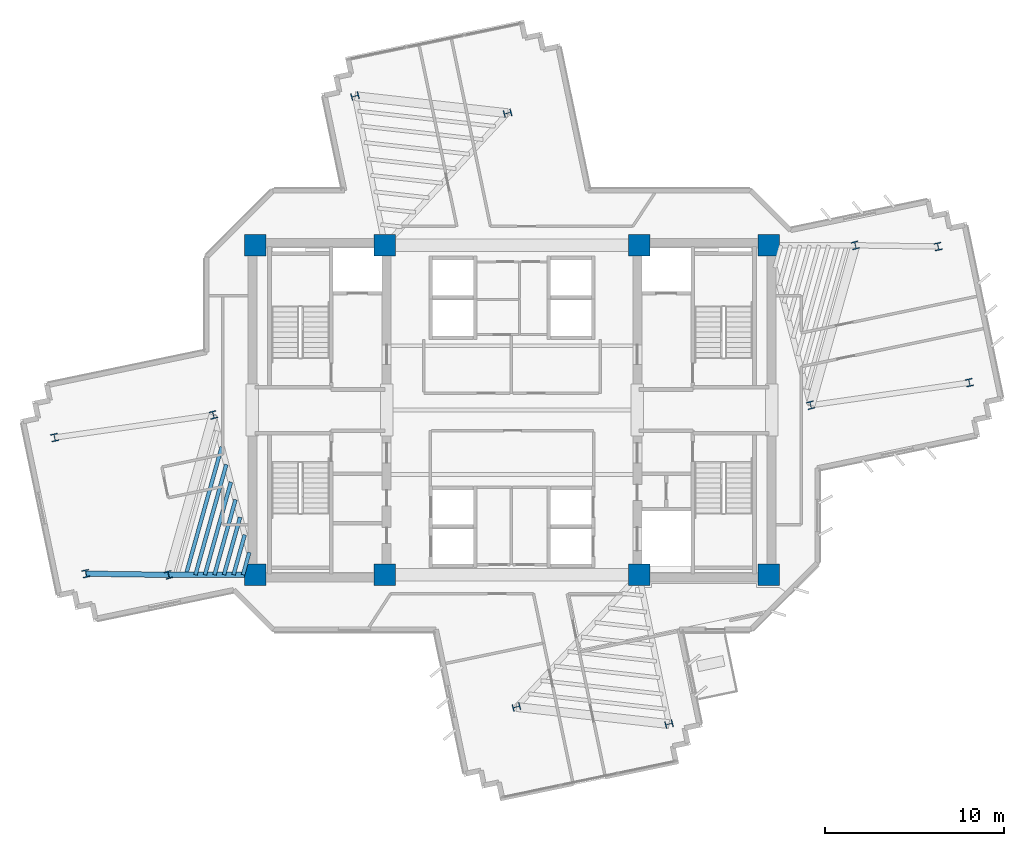
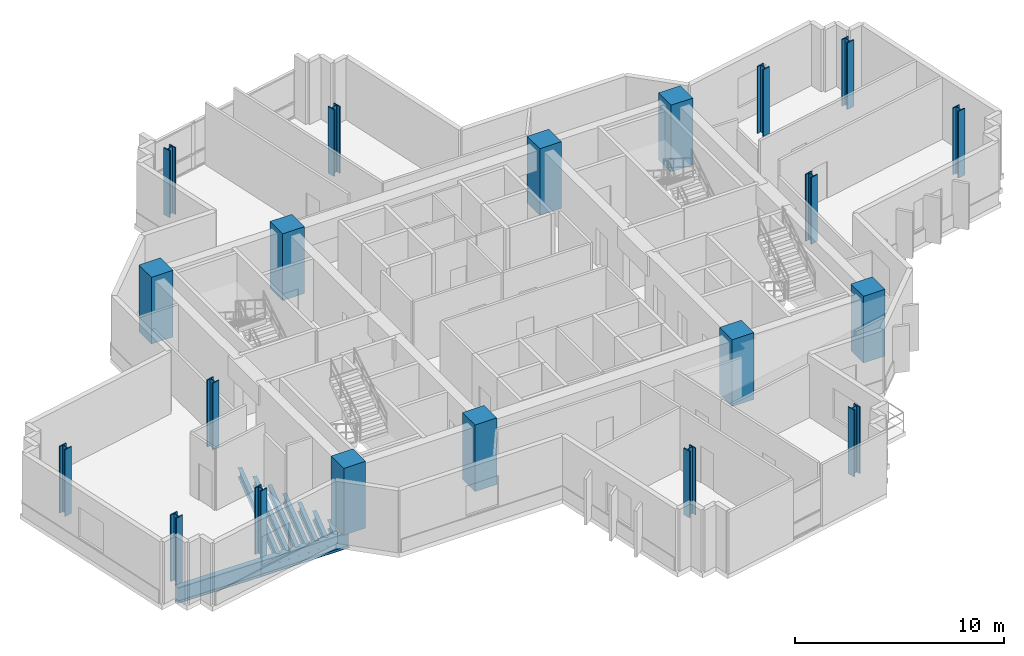
# One storey, part 1 of 14: 20 columns, 9 beams.
"""IFC4 building model written with IfcOpenShell, lengths in metres."""

from ifc_helpers import new_model, si_unit, direction, frame, origin, origin_2d, place, context, subcontext, project, spatial, rectangle, i_section, extrude, source, transform, mapped, material, material_profile, profile_set, type_object, element, save


model = new_model("IFC4")

# Units and contexts
model_context = context("Model", 3, precision=1e-05, world=origin(), true_north=direction((0.0, 1.0)))
body_context = subcontext(model_context, "Body", "Model", "MODEL_VIEW")
ifc_project = project(units=[si_unit("LENGTHUNIT", "METRE"), si_unit("AREAUNIT", "SQUARE_METRE"), si_unit("VOLUMEUNIT", "CUBIC_METRE"), si_unit("PLANEANGLEUNIT", "RADIAN"), si_unit("MASSUNIT", "GRAM", prefix="KILO")], contexts=[model_context])

# Site, building, storey
site_placement = place(None, origin())
site = spatial("IfcSite", under=ifc_project, at=site_placement, CompositionType="ELEMENT")
building_placement = place(site_placement, origin())
building = spatial("IfcBuilding", under=site, at=building_placement, Name="Zahravan Cultural Tower", CompositionType="ELEMENT")
storey_placement = place(building_placement, frame((0.0, 0.0, 159.0)))
storey = spatial("IfcBuildingStorey", under=building, at=storey_placement, Name="L36", CompositionType="ELEMENT", Elevation=159.0)

# Columns
ifc_material_1 = material(Name="Concrete C50/60", Category="concrete")
ifc_material_profile_1 = material_profile(ifc_material_1, rectangle(XDim=1.199951171875, YDim=1.199951171875, at=origin_2d()), Name="RC1200X1200")
ifc_profile_set_1 = profile_set([ifc_material_profile_1], Name="Concrete C50/60")
column_type_1 = type_object("IfcColumnType", Name="COL-RC1200", PredefinedType="COLUMN", material=ifc_profile_set_1)
shared_shape_1 = source(origin(), body_context, "Body", "SweptSolid", [
    extrude(rectangle(XDim=1.199951171875, YDim=1.199951171875, at=origin_2d()), origin(), (0.0, 0.0, 1.0), 3.89990234375),
])
for number, where, z_axis, x_axis, name in (
    (1, (21.64990234375, 17.800048828125, 0.0), (0.0, 0.0, 1.0), (1.0, 0.0, 0.0), "L36 Column CC-W1"),
    (2, (28.89990234375, 17.800048828125, 0.0), (0.0, 0.0, 1.0), (1.0, 0.0, 0.0), "L36 Column CC-W2"),
    (3, (21.64990234375, 36.199951171875, 0.0), (0.0, 0.0, 1.0), (1.0, 0.0, 0.0), "L36 Column CC-W3"),
    (4, (28.89990234375, 36.199951171875, 0.0), (0.0, 0.0, 1.0), (1.0, 0.0, 0.0), "L36 Column CC-W4"),
    (5, (43.10009765625, 17.800048828125, 0.0), (0.0, 0.0, 1.0), (1.0, 0.0, 0.0), "L36 Column CC-E1"),
    (6, (50.35009765625, 17.800048828125, 0.0), (0.0, 0.0, 1.0), (1.0, 0.0, 0.0), "L36 Column CC-E2"),
    (7, (43.10009765625, 36.199951171875, 0.0), (0.0, 0.0, 1.0), (1.0, 0.0, 0.0), "L36 Column CC-E3"),
    (8, (50.35009765625, 36.199951171875, 0.0), (0.0, 0.0, 1.0), (1.0, 0.0, 0.0), "L36 Column CC-E4"),
):
    element("IfcColumn", number, at=place(storey_placement, frame(where, z_axis=z_axis, x_axis=x_axis)), inside=storey, type_object=column_type_1, Name=name, PredefinedType="COLUMN", context=body_context, shape_type="MappedRepresentation", body=[
        mapped(shared_shape_1, transform((0.0, 0.0, 0.0), x_axis=(1.0, 0.0, 0.0), y_axis=(0.0, 1.0, 0.0), z_axis=(0.0, 0.0, 1.0), scale=1.0)),
    ])
ifc_material_2 = material(Name="Steel ASTM A992 Grade 50", Category="steel")
ifc_material_profile_2 = material_profile(ifc_material_2, i_section(OverallWidth=0.412109375, OverallDepth=0.43505859375, WebThickness=0.035888671875, FlangeThickness=0.057373046875, FilletRadius=0.01806640625, at=origin_2d()), Name="W14X311")
ifc_profile_set_2 = profile_set([ifc_material_profile_2], Name="Steel ASTM A992 Grade 50")
column_type_2 = type_object("IfcColumnType", Name="COL-W14X311", PredefinedType="COLUMN", material=ifc_profile_set_2)
shared_shape_2 = source(origin(), body_context, "Body", "SweptSolid", [
    extrude(i_section(OverallWidth=0.412109375, OverallDepth=0.43505859375, WebThickness=0.035888671875, FlangeThickness=0.057373046875, FilletRadius=0.01806640625, at=origin_2d()), origin(), (0.0, 0.0, 1.0), 3.89990234375),
])
for number, where, z_axis, x_axis, name in (
    (9, (52.684326171875, 27.27099609375, 0.0), (0.0, 0.0, 1.0), (0.966823388604, 0.255445757936, 0.0), "L36 Column Z2C-E1"),
    (10, (55.184814453125, 36.2060546875, 0.0), (0.0, 0.0, 1.0), (0.966823388604, 0.255445757936, 0.0), "L36 Column Z2C-E2"),
    (11, (35.754638671875, 43.587646484375, 0.0), (0.0, 0.0, 1.0), (-0.255445757936, 0.966823388604, 0.0), "L36 Column Z2C-N1"),
    (12, (27.22802734375, 44.541259765625, 0.0), (0.0, 0.0, 1.0), (-0.255445757936, 0.966823388604, 0.0), "L36 Column Z2C-N2"),
    (13, (19.315673828125, 26.72900390625, 0.0), (0.0, 0.0, 1.0), (0.966823388604, 0.255445757936, 0.0), "L36 Column Z2C-W1"),
    (14, (16.815185546875, 17.7939453125, 0.0), (0.0, 0.0, 1.0), (0.966823388604, 0.255445757936, 0.0), "L36 Column Z2C-W2"),
    (15, (36.245361328125, 10.412353515625, 0.0), (0.0, 0.0, 1.0), (-0.255445757936, 0.966823388604, 0.0), "L36 Column Z2C-S1"),
    (16, (44.77197265625, 9.458740234375, 0.0), (0.0, 0.0, 1.0), (-0.255445757936, 0.966823388604, 0.0), "L36 Column Z2C-S2"),
    (17, (61.552734375, 28.53466796875, 0.0), (0.0, 0.0, 1.0), (0.977415894286, 0.211324796455, 0.0), "L36 Column Z2T-E1"),
    (18, (59.806640625, 36.13720703125, 0.0), (0.0, 0.0, 1.0), (0.977415894286, 0.211324796455, 0.0), "L36 Column Z2T-E2"),
    (19, (10.447265625, 25.46533203125, 0.0), (0.0, 0.0, 1.0), (0.977415894286, 0.211324796455, 0.0), "L36 Column Z2T-W1"),
    (20, (12.193359375, 17.86279296875, 0.0), (0.0, 0.0, 1.0), (0.977415894286, 0.211324796455, 0.0), "L36 Column Z2T-W2"),
):
    element("IfcColumn", number, at=place(storey_placement, frame(where, z_axis=z_axis, x_axis=x_axis)), inside=storey, type_object=column_type_2, Name=name, PredefinedType="COLUMN", context=body_context, shape_type="MappedRepresentation", body=[
        mapped(shared_shape_2, transform((0.0, 0.0, 0.0), x_axis=(1.0, 0.0, 0.0), y_axis=(0.0, 1.0, 0.0), z_axis=(0.0, 0.0, 1.0), scale=1.0)),
    ])

# Beams
ifc_material_profile_3 = material_profile(ifc_material_2, i_section(OverallWidth=0.304931640625, OverallDepth=0.9189453125, WebThickness=0.017333984375, FlangeThickness=0.02783203125, FilletRadius=0.02392578125, at=origin_2d()), Name="W36X170")
ifc_profile_set_3 = profile_set([ifc_material_profile_3], Name="Steel ASTM A992 Grade 50")
beam_type_1 = type_object("IfcBeamType", Name="BM-G-W36X170", PredefinedType="BEAM", material=ifc_profile_set_3)
shared_shape_3 = source(origin(), body_context, "Body", "SweptSolid", [
    extrude(i_section(OverallWidth=0.304931640625, OverallDepth=0.9189453125, WebThickness=0.017333984375, FlangeThickness=0.02783203125, FilletRadius=0.02392578125, at=origin_2d()), origin(), (0.0, 0.0, 1.0), 4.834716796875),
])
beam_1_placement = place(storey_placement, frame((21.64990234375, 17.800048828125, -0.739501953125), z_axis=(-0.99999920313, -0.001262433979, 0.0), x_axis=(0.001262433979, -0.99999920313, 0.0)))
element("IfcBeam", 21, at=beam_1_placement, inside=storey, type_object=beam_type_1, Name="L36 Beam BG-L36-08", PredefinedType="BEAM", context=body_context, shape_type="MappedRepresentation", body=[
    mapped(shared_shape_3, transform((0.0, 0.0, 0.0), x_axis=(1.0, 0.0, 0.0), y_axis=(0.0, 1.0, 0.0), z_axis=(0.0, 0.0, 1.0), scale=1.0)),
])
shared_shape_4 = source(origin(), body_context, "Body", "SweptSolid", [
    extrude(i_section(OverallWidth=0.304931640625, OverallDepth=0.9189453125, WebThickness=0.017333984375, FlangeThickness=0.02783203125, FilletRadius=0.02392578125, at=origin_2d()), origin(), (0.0, 0.0, 1.0), 4.622314453125),
])
beam_2_placement = place(storey_placement, frame((16.815185546875, 17.7939453125, -0.739501953125), z_axis=(-0.999889070044, 0.014894549562, 0.0), x_axis=(-0.014894549562, -0.999889070044, 0.0)))
element("IfcBeam", 22, at=beam_2_placement, inside=storey, type_object=beam_type_1, Name="L36 Beam BG-L36-18", PredefinedType="BEAM", context=body_context, shape_type="MappedRepresentation", body=[
    mapped(shared_shape_4, transform((0.0, 0.0, 0.0), x_axis=(1.0, 0.0, 0.0), y_axis=(0.0, 1.0, 0.0), z_axis=(0.0, 0.0, 1.0), scale=1.0)),
])
ifc_material_profile_4 = material_profile(ifc_material_2, i_section(OverallWidth=0.2099609375, OverallDepth=0.532958984375, WebThickness=0.01025390625, FlangeThickness=0.015625, FilletRadius=0.013916015625, at=origin_2d()), Name="W21X62")
ifc_profile_set_4 = profile_set([ifc_material_profile_4], Name="Steel ASTM A992 Grade 50")
beam_type_2 = type_object("IfcBeamType", Name="BM-J-W21X62", PredefinedType="JOIST", material=ifc_profile_set_4)
shared_shape_5 = source(origin(), body_context, "Body", "SweptSolid", [
    extrude(i_section(OverallWidth=0.2099609375, OverallDepth=0.532958984375, WebThickness=0.01025390625, FlangeThickness=0.015625, FilletRadius=0.013916015625, at=origin_2d()), origin(), (0.0, 0.0, 1.0), 1.299072265625),
])
beam_3_placement = place(storey_placement, frame((21.3232421875, 19.050048828125, -0.54638671875), z_axis=(-0.269504444708, -0.962999145525, 0.0), x_axis=(0.962999145525, -0.269504444708, 0.0)))
element("IfcBeam", 23, at=beam_3_placement, inside=storey, type_object=beam_type_2, Name="L36 Beam BJ-L36-26", PredefinedType="JOIST", context=body_context, shape_type="MappedRepresentation", body=[
    mapped(shared_shape_5, transform((0.0, 0.0, 0.0), x_axis=(1.0, 0.0, 0.0), y_axis=(0.0, 1.0, 0.0), z_axis=(0.0, 0.0, 1.0), scale=1.0)),
])
shared_shape_6 = source(origin(), body_context, "Body", "SweptSolid", [
    extrude(i_section(OverallWidth=0.2099609375, OverallDepth=0.532958984375, WebThickness=0.01025390625, FlangeThickness=0.015625, FilletRadius=0.013916015625, at=origin_2d()), origin(), (0.0, 0.0, 1.0), 2.3193359375),
])
beam_4_placement = place(storey_placement, frame((21.06640625, 20.0322265625, -0.54638671875), z_axis=(-0.269462038626, -0.963011012263, 0.0), x_axis=(0.963011012263, -0.269462038626, 0.0)))
element("IfcBeam", 24, at=beam_4_placement, inside=storey, type_object=beam_type_2, Name="L36 Beam BJ-L36-27", PredefinedType="JOIST", context=body_context, shape_type="MappedRepresentation", body=[
    mapped(shared_shape_6, transform((0.0, 0.0, 0.0), x_axis=(1.0, 0.0, 0.0), y_axis=(0.0, 1.0, 0.0), z_axis=(0.0, 0.0, 1.0), scale=1.0)),
])
shared_shape_7 = source(origin(), body_context, "Body", "SweptSolid", [
    extrude(i_section(OverallWidth=0.2099609375, OverallDepth=0.532958984375, WebThickness=0.01025390625, FlangeThickness=0.015625, FilletRadius=0.013916015625, at=origin_2d()), origin(), (0.0, 0.0, 1.0), 3.340087890625),
])
beam_5_placement = place(storey_placement, frame((20.809814453125, 21.014404296875, -0.54638671875), z_axis=(-0.269562146951, -0.962982995141, 0.0), x_axis=(0.962982995141, -0.269562146951, 0.0)))
element("IfcBeam", 25, at=beam_5_placement, inside=storey, type_object=beam_type_2, Name="L36 Beam BJ-L36-28", PredefinedType="JOIST", context=body_context, shape_type="MappedRepresentation", body=[
    mapped(shared_shape_7, transform((0.0, 0.0, 0.0), x_axis=(1.0, 0.0, 0.0), y_axis=(0.0, 1.0, 0.0), z_axis=(0.0, 0.0, 1.0), scale=1.0)),
])
shared_shape_8 = source(origin(), body_context, "Body", "SweptSolid", [
    extrude(i_section(OverallWidth=0.2099609375, OverallDepth=0.532958984375, WebThickness=0.01025390625, FlangeThickness=0.015625, FilletRadius=0.013916015625, at=origin_2d()), origin(), (0.0, 0.0, 1.0), 4.36083984375),
])
beam_6_placement = place(storey_placement, frame((20.552978515625, 21.99658203125, -0.54638671875), z_axis=(-0.269511557673, -0.962997154866, 0.0), x_axis=(0.962997154866, -0.269511557673, 0.0)))
element("IfcBeam", 26, at=beam_6_placement, inside=storey, type_object=beam_type_2, Name="L36 Beam BJ-L36-29", PredefinedType="JOIST", context=body_context, shape_type="MappedRepresentation", body=[
    mapped(shared_shape_8, transform((0.0, 0.0, 0.0), x_axis=(1.0, 0.0, 0.0), y_axis=(0.0, 1.0, 0.0), z_axis=(0.0, 0.0, 1.0), scale=1.0)),
])
shared_shape_9 = source(origin(), body_context, "Body", "SweptSolid", [
    extrude(i_section(OverallWidth=0.2099609375, OverallDepth=0.532958984375, WebThickness=0.01025390625, FlangeThickness=0.015625, FilletRadius=0.013916015625, at=origin_2d()), origin(), (0.0, 0.0, 1.0), 5.3818359375),
])
beam_7_placement = place(storey_placement, frame((20.296142578125, 22.97900390625, -0.54638671875), z_axis=(-0.269510454638, -0.962997463569, 0.0), x_axis=(0.962997463569, -0.269510454638, 0.0)))
element("IfcBeam", 27, at=beam_7_placement, inside=storey, type_object=beam_type_2, Name="L36 Beam BJ-L36-30", PredefinedType="JOIST", context=body_context, shape_type="MappedRepresentation", body=[
    mapped(shared_shape_9, transform((0.0, 0.0, 0.0), x_axis=(1.0, 0.0, 0.0), y_axis=(0.0, 1.0, 0.0), z_axis=(0.0, 0.0, 1.0), scale=1.0)),
])
shared_shape_10 = source(origin(), body_context, "Body", "SweptSolid", [
    extrude(i_section(OverallWidth=0.2099609375, OverallDepth=0.532958984375, WebThickness=0.01025390625, FlangeThickness=0.015625, FilletRadius=0.013916015625, at=origin_2d()), origin(), (0.0, 0.0, 1.0), 6.402099609375),
])
beam_8_placement = place(storey_placement, frame((20.039306640625, 23.961181640625, -0.54638671875), z_axis=(-0.269494133533, -0.963002031146, 0.0), x_axis=(0.963002031146, -0.269494133533, 0.0)))
element("IfcBeam", 28, at=beam_8_placement, inside=storey, type_object=beam_type_2, Name="L36 Beam BJ-L36-31", PredefinedType="JOIST", context=body_context, shape_type="MappedRepresentation", body=[
    mapped(shared_shape_10, transform((0.0, 0.0, 0.0), x_axis=(1.0, 0.0, 0.0), y_axis=(0.0, 1.0, 0.0), z_axis=(0.0, 0.0, 1.0), scale=1.0)),
])
shared_shape_11 = source(origin(), body_context, "Body", "SweptSolid", [
    extrude(i_section(OverallWidth=0.2099609375, OverallDepth=0.532958984375, WebThickness=0.01025390625, FlangeThickness=0.015625, FilletRadius=0.013916015625, at=origin_2d()), origin(), (0.0, 0.0, 1.0), 7.4228515625),
])
beam_9_placement = place(storey_placement, frame((19.78271484375, 24.943359375, -0.54638671875), z_axis=(-0.269504266128, -0.962999195503, 0.0), x_axis=(0.962999195503, -0.269504266128, 0.0)))
element("IfcBeam", 29, at=beam_9_placement, inside=storey, type_object=beam_type_2, Name="L36 Beam BJ-L36-32", PredefinedType="JOIST", context=body_context, shape_type="MappedRepresentation", body=[
    mapped(shared_shape_11, transform((0.0, 0.0, 0.0), x_axis=(1.0, 0.0, 0.0), y_axis=(0.0, 1.0, 0.0), z_axis=(0.0, 0.0, 1.0), scale=1.0)),
])

save(model, "model.ifc")
